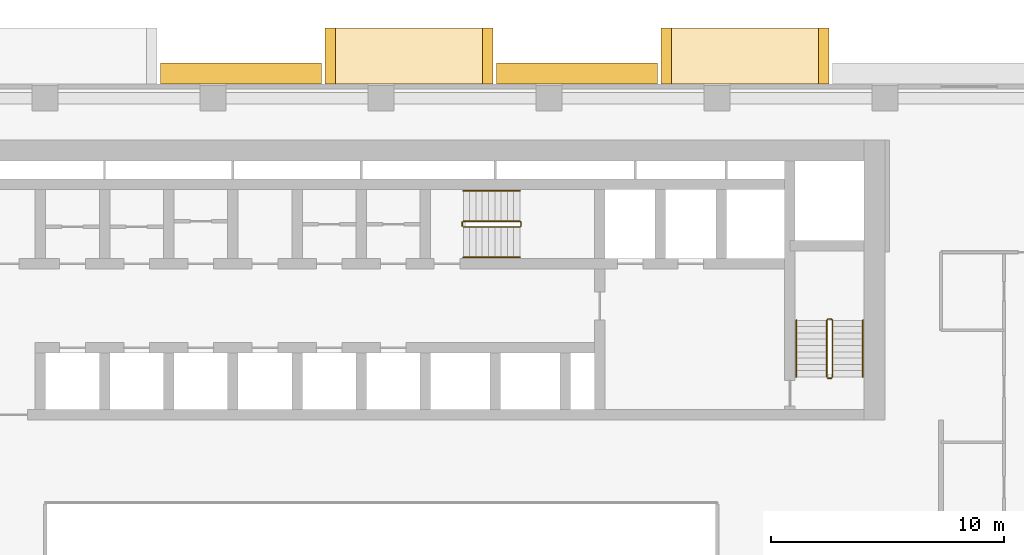
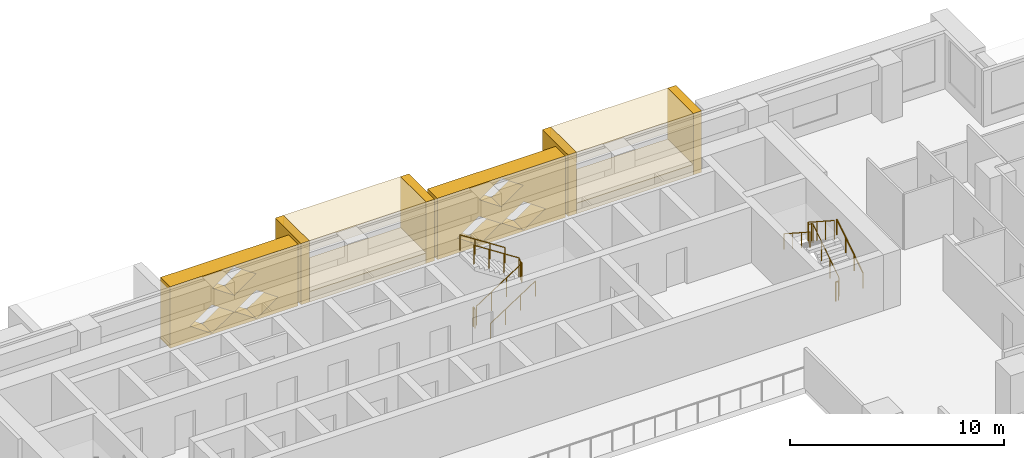
# One storey, part 16 of 17: 10 coverings, 8 railings.
"""IFC4 building model written with IfcOpenShell, lengths in metres."""

from ifc_helpers import new_model, si_unit, direction, frame, origin, origin_2d, place, context, subcontext, project, spatial, polyline, circle, outline, extrude, material, type_object, element, save


model = new_model("IFC4")

# Units and contexts
model_context = context("Model", 3, precision=1e-05, world=origin(), true_north=direction((0.0, 1.0)))
body_context = subcontext(model_context, "Body", "Model", "MODEL_VIEW")
ifc_project = project(units=[si_unit("LENGTHUNIT", "METRE"), si_unit("AREAUNIT", "SQUARE_METRE"), si_unit("VOLUMEUNIT", "CUBIC_METRE"), si_unit("PLANEANGLEUNIT", "RADIAN"), si_unit("MASSUNIT", "GRAM", prefix="KILO")], contexts=[model_context])

# Site, building, storey
site_placement = place(None, origin())
site = spatial("IfcSite", under=ifc_project, at=site_placement, CompositionType="ELEMENT")
building_placement = place(site_placement, origin())
building = spatial("IfcBuilding", under=site, at=building_placement, Name="Saffron Iwan Residences", CompositionType="ELEMENT")
storey_placement = place(building_placement, frame((0.0, 0.0, 58.5)))
storey = spatial("IfcBuildingStorey", under=building, at=storey_placement, Name="L14", CompositionType="ELEMENT", Elevation=58.5)

# Coverings
ifc_material_1 = material(Name="Precast concrete C40/50", Category="concrete")
covering_type_1 = type_object("IfcCoveringType", Name="OUTER SKIN LATTICE SCREEN", PredefinedType="CLADDING", material=ifc_material_1)
for number, where, z_axis, x_axis, name in (
    (1, (62.25, 80.39990234375, -0.320068359375), (0.0, 1.0, 0.0), (-1.0, 0.0, 0.0), "OUTER SKIN lattice screen L14 F5.1"),
    (2, (47.85009765625, 80.39990234375, -0.320068359375), (0.0, 1.0, 0.0), (-1.0, 0.0, 0.0), "OUTER SKIN lattice screen L14 F5.2"),
):
    element("IfcCovering", number, at=place(storey_placement, frame(where, z_axis=z_axis, x_axis=x_axis)), inside=storey, type_object=covering_type_1, Name=name, PredefinedType="CLADDING", context=body_context, shape_type="SweptSolid", body=[
        extrude(outline(polyline([(0.0, 0.0), (6.89990234375, 0.0), (6.89990234375, 3.5), (0.0, 3.5), (0.0, 0.0)]), holes=[polyline([(1.070068359375, 0.875), (2.25, 0.06005859375), (3.429931640625, 0.875), (2.25, 1.68994140625), (1.070068359375, 0.875)]), polyline([(3.469970703125, 0.875), (4.64990234375, 0.06005859375), (5.830078125, 0.875), (4.64990234375, 1.68994140625), (3.469970703125, 0.875)]), polyline([(2.27001953125, 2.625), (3.449951171875, 1.81005859375), (4.6298828125, 2.625), (3.449951171875, 3.43994140625), (2.27001953125, 2.625)])]), origin(), (0.0, 0.0, 1.0), 0.900146484375),
    ])

# Railings
ifc_material_2 = material(Name="Steel S355", Category="steel")
railing_type_1 = type_object("IfcRailingType", Name="Stair guard 1100", PredefinedType="GUARDRAIL", material=ifc_material_2)
railing_1_placement = place(storey_placement, frame((53.925048828125, 74.27490234375, 0.175048828125)))
element("IfcRailing", 3, at=railing_1_placement, inside=storey, type_object=railing_type_1, Name="L14 ST-C stair guard 1", PredefinedType="GUARDRAIL", context=body_context, shape_type="SweptSolid", body=[
    extrude(circle(Radius=0.02392578125, at=origin_2d()), frame((0.0, 0.0, 1.076171875), z_axis=(0.839153699163, 0.0, 0.543894354798), x_axis=(0.0, 1.0, 0.0)), (0.0, 0.0, 1.0), 2.895751953125),
    extrude(circle(Radius=0.02392578125, at=origin_2d()), frame((2.429931640625, 0.0, 2.65087890625), z_axis=(0.707106781187, 0.707106781187, 0.0), x_axis=(-0.707106781187, 0.707106781187, 0.0)), (0.0, 0.0, 1.0), 0.07080078125),
    extrude(circle(Radius=0.02392578125, at=origin_2d()), frame((2.47998046875, 0.050048828125, 2.65087890625), z_axis=(0.0, 1.0, 0.0), x_axis=(-1.0, 0.0, 0.0)), (0.0, 0.0, 1.0), 0.150146484375),
    extrude(circle(Radius=0.02392578125, at=origin_2d()), frame((2.47998046875, 0.2001953125, 2.65087890625), z_axis=(-0.265155923931, 0.263862480399, 0.927399011991), x_axis=(-0.705375805398, -0.708833529934, 0.0)), (0.0, 0.0, 1.0), 0.188720703125),
    extrude(circle(Radius=0.02392578125, at=origin_2d()), frame((2.429931640625, 0.25, 2.826171875), z_axis=(-0.839153699163, 0.0, 0.543894354798), x_axis=(0.0, -1.0, 0.0)), (0.0, 0.0, 1.0), 2.895751953125),
    extrude(circle(Radius=0.02099609375, at=origin_2d()), origin(), (0.0, 0.0, 1.0), 1.052001953125),
    extrude(circle(Radius=0.02099609375, at=origin_2d()), frame((0.81005859375, 0.0, 0.52490234375)), (0.0, 0.0, 1.0), 1.052001953125),
    extrude(circle(Radius=0.02099609375, at=origin_2d()), frame((1.619873046875, 0.0, 1.050048828125)), (0.0, 0.0, 1.0), 1.052001953125),
    extrude(circle(Radius=0.02099609375, at=origin_2d()), frame((2.429931640625, 0.0, 1.574951171875)), (0.0, 0.0, 1.0), 1.052001953125),
    extrude(circle(Radius=0.02099609375, at=origin_2d()), frame((2.47998046875, 0.050048828125, 1.574951171875)), (0.0, 0.0, 1.0), 1.052001953125),
    extrude(circle(Radius=0.02099609375, at=origin_2d()), frame((2.47998046875, 0.2001953125, 1.574951171875)), (0.0, 0.0, 1.0), 1.052001953125),
    extrude(circle(Radius=0.02099609375, at=origin_2d()), frame((2.429931640625, 0.25, 1.75)), (0.0, 0.0, 1.0), 1.052001953125),
    extrude(circle(Radius=0.02099609375, at=origin_2d()), frame((1.619873046875, 0.25, 2.27490234375)), (0.0, 0.0, 1.0), 1.052001953125),
    extrude(circle(Radius=0.02099609375, at=origin_2d()), frame((0.81005859375, 0.25, 2.800048828125)), (0.0, 0.0, 1.0), 1.052001953125),
    extrude(circle(Radius=0.02099609375, at=origin_2d()), frame((0.0, 0.25, 3.324951171875)), (0.0, 0.0, 1.0), 1.052001953125),
])
railing_2_placement = place(storey_placement, frame((53.875, 74.324951171875, 0.0)))
element("IfcRailing", 4, at=railing_2_placement, inside=storey, type_object=railing_type_1, Name="L14 ST-C stair guard 2", PredefinedType="GUARDRAIL", context=body_context, shape_type="SweptSolid", body=[
    extrude(circle(Radius=0.02392578125, at=origin_2d()), frame((0.0, 0.0, 1.076171875), z_axis=(0.0, 1.0, 0.0), x_axis=(-1.0, 0.0, 0.0)), (0.0, 0.0, 1.0), 0.150146484375),
    extrude(circle(Radius=0.02099609375, at=origin_2d()), origin(), (0.0, 0.0, 1.0), 1.052001953125),
    extrude(circle(Radius=0.02099609375, at=origin_2d()), frame((0.0, 0.150146484375, 0.0)), (0.0, 0.0, 1.0), 1.052001953125),
])
railing_3_placement = place(storey_placement, frame((69.75, 67.85009765625, 0.175048828125)))
element("IfcRailing", 5, at=railing_3_placement, inside=storey, type_object=railing_type_1, Name="L14 ST-E stair guard 1", PredefinedType="GUARDRAIL", context=body_context, shape_type="SweptSolid", body=[
    extrude(circle(Radius=0.02392578125, at=origin_2d()), frame((0.0, 0.0, 1.076171875), z_axis=(0.0, 0.839153699163, 0.543894354798), x_axis=(-1.0, 0.0, 0.0)), (0.0, 0.0, 1.0), 2.895751953125),
    extrude(circle(Radius=0.02392578125, at=origin_2d()), frame((0.0, 2.429931640625, 2.65087890625), z_axis=(-0.707106781187, 0.707106781187, 0.0), x_axis=(-0.707106781187, -0.707106781187, 0.0)), (0.0, 0.0, 1.0), 0.07080078125),
    extrude(circle(Radius=0.02392578125, at=origin_2d()), frame((-0.050048828125, 2.47998046875, 2.65087890625), z_axis=(-1.0, 0.0, 0.0), x_axis=(0.0, -1.0, 0.0)), (0.0, 0.0, 1.0), 0.14990234375),
    extrude(circle(Radius=0.02392578125, at=origin_2d()), frame((-0.199951171875, 2.47998046875, 2.65087890625), z_axis=(-0.265065253269, -0.265065253269, 0.927081885822), x_axis=(0.707106781187, -0.707106781187, 0.0)), (0.0, 0.0, 1.0), 0.188720703125),
    extrude(circle(Radius=0.02392578125, at=origin_2d()), frame((-0.25, 2.429931640625, 2.826171875), z_axis=(0.0, -0.839153699163, 0.543894354798), x_axis=(1.0, 0.0, 0.0)), (0.0, 0.0, 1.0), 2.895751953125),
    extrude(circle(Radius=0.02099609375, at=origin_2d()), origin(), (0.0, 0.0, 1.0), 1.052001953125),
    extrude(circle(Radius=0.02099609375, at=origin_2d()), frame((0.0, 0.81005859375, 0.52490234375)), (0.0, 0.0, 1.0), 1.052001953125),
    extrude(circle(Radius=0.02099609375, at=origin_2d()), frame((0.0, 1.619873046875, 1.050048828125)), (0.0, 0.0, 1.0), 1.052001953125),
    extrude(circle(Radius=0.02099609375, at=origin_2d()), frame((0.0, 2.429931640625, 1.574951171875)), (0.0, 0.0, 1.0), 1.052001953125),
    extrude(circle(Radius=0.02099609375, at=origin_2d()), frame((-0.050048828125, 2.47998046875, 1.574951171875)), (0.0, 0.0, 1.0), 1.052001953125),
    extrude(circle(Radius=0.02099609375, at=origin_2d()), frame((-0.199951171875, 2.47998046875, 1.574951171875)), (0.0, 0.0, 1.0), 1.052001953125),
    extrude(circle(Radius=0.02099609375, at=origin_2d()), frame((-0.25, 2.429931640625, 1.75)), (0.0, 0.0, 1.0), 1.052001953125),
    extrude(circle(Radius=0.02099609375, at=origin_2d()), frame((-0.25, 1.619873046875, 2.27490234375)), (0.0, 0.0, 1.0), 1.052001953125),
    extrude(circle(Radius=0.02099609375, at=origin_2d()), frame((-0.25, 0.81005859375, 2.800048828125)), (0.0, 0.0, 1.0), 1.052001953125),
    extrude(circle(Radius=0.02099609375, at=origin_2d()), frame((-0.25, 0.0, 3.324951171875)), (0.0, 0.0, 1.0), 1.052001953125),
])
railing_4_placement = place(storey_placement, frame((69.699951171875, 67.800048828125, 0.0)))
element("IfcRailing", 6, at=railing_4_placement, inside=storey, type_object=railing_type_1, Name="L14 ST-E stair guard 2", PredefinedType="GUARDRAIL", context=body_context, shape_type="SweptSolid", body=[
    extrude(circle(Radius=0.02392578125, at=origin_2d()), frame((0.0, 0.0, 1.076171875), z_axis=(-1.0, 0.0, 0.0), x_axis=(0.0, -1.0, 0.0)), (0.0, 0.0, 1.0), 0.14990234375),
    extrude(circle(Radius=0.02099609375, at=origin_2d()), origin(), (0.0, 0.0, 1.0), 1.052001953125),
    extrude(circle(Radius=0.02099609375, at=origin_2d()), frame((-0.14990234375, 0.0, 0.0)), (0.0, 0.0, 1.0), 1.052001953125),
])
ifc_material_3 = material(Name="Stainless steel 316", Category="steel")
railing_type_2 = type_object("IfcRailingType", Name="Stair handrail 900", PredefinedType="HANDRAIL", material=ifc_material_3)
railing_5_placement = place(storey_placement, frame((53.925048828125, 72.97509765625, 0.175048828125)))
element("IfcRailing", 7, at=railing_5_placement, inside=storey, type_object=railing_type_2, Name="L14 ST-C stair handrail 1", PredefinedType="HANDRAIL", context=body_context, shape_type="SweptSolid", body=[
    extrude(circle(Radius=0.02392578125, at=origin_2d()), frame((0.0, 0.0, 0.8759765625), z_axis=(0.839153699163, 0.0, 0.543894354798), x_axis=(0.0, 1.0, 0.0)), (0.0, 0.0, 1.0), 2.895751953125),
    extrude(circle(Radius=0.02099609375, at=origin_2d()), origin(), (0.0, 0.0, 1.0), 0.851806640625),
    extrude(circle(Radius=0.02099609375, at=origin_2d()), frame((0.81005859375, 0.0, 0.52490234375)), (0.0, 0.0, 1.0), 0.851806640625),
    extrude(circle(Radius=0.02099609375, at=origin_2d()), frame((1.619873046875, 0.0, 1.050048828125)), (0.0, 0.0, 1.0), 0.851806640625),
    extrude(circle(Radius=0.02099609375, at=origin_2d()), frame((2.429931640625, 0.0, 1.574951171875)), (0.0, 0.0, 1.0), 0.851806640625),
])
railing_6_placement = place(storey_placement, frame((56.35498046875, 75.824951171875, 1.925048828125)))
element("IfcRailing", 8, at=railing_6_placement, inside=storey, type_object=railing_type_2, Name="L14 ST-C stair handrail 2", PredefinedType="HANDRAIL", context=body_context, shape_type="SweptSolid", body=[
    extrude(circle(Radius=0.02392578125, at=origin_2d()), frame((0.0, 0.0, 0.8759765625), z_axis=(-0.839153699163, 0.0, 0.543894354798), x_axis=(0.0, -1.0, 0.0)), (0.0, 0.0, 1.0), 2.895751953125),
    extrude(circle(Radius=0.02099609375, at=origin_2d()), origin(), (0.0, 0.0, 1.0), 0.851806640625),
    extrude(circle(Radius=0.02099609375, at=origin_2d()), frame((-0.81005859375, 0.0, 0.52490234375)), (0.0, 0.0, 1.0), 0.851806640625),
    extrude(circle(Radius=0.02099609375, at=origin_2d()), frame((-1.619873046875, 0.0, 1.050048828125)), (0.0, 0.0, 1.0), 0.851806640625),
    extrude(circle(Radius=0.02099609375, at=origin_2d()), frame((-2.429931640625, 0.0, 1.574951171875)), (0.0, 0.0, 1.0), 0.851806640625),
])
railing_7_placement = place(storey_placement, frame((71.050048828125, 67.85009765625, 0.175048828125)))
element("IfcRailing", 9, at=railing_7_placement, inside=storey, type_object=railing_type_2, Name="L14 ST-E stair handrail 1", PredefinedType="HANDRAIL", context=body_context, shape_type="SweptSolid", body=[
    extrude(circle(Radius=0.02392578125, at=origin_2d()), frame((0.0, 0.0, 0.8759765625), z_axis=(0.0, 0.839153699163, 0.543894354798), x_axis=(-1.0, 0.0, 0.0)), (0.0, 0.0, 1.0), 2.895751953125),
    extrude(circle(Radius=0.02099609375, at=origin_2d()), origin(), (0.0, 0.0, 1.0), 0.851806640625),
    extrude(circle(Radius=0.02099609375, at=origin_2d()), frame((0.0, 0.81005859375, 0.52490234375)), (0.0, 0.0, 1.0), 0.851806640625),
    extrude(circle(Radius=0.02099609375, at=origin_2d()), frame((0.0, 1.619873046875, 1.050048828125)), (0.0, 0.0, 1.0), 0.851806640625),
    extrude(circle(Radius=0.02099609375, at=origin_2d()), frame((0.0, 2.429931640625, 1.574951171875)), (0.0, 0.0, 1.0), 0.851806640625),
])
railing_8_placement = place(storey_placement, frame((68.199951171875, 70.280029296875, 1.925048828125)))
element("IfcRailing", 10, at=railing_8_placement, inside=storey, type_object=railing_type_2, Name="L14 ST-E stair handrail 2", PredefinedType="HANDRAIL", context=body_context, shape_type="SweptSolid", body=[
    extrude(circle(Radius=0.02392578125, at=origin_2d()), frame((0.0, 0.0, 0.8759765625), z_axis=(0.0, -0.839153699163, 0.543894354798), x_axis=(1.0, 0.0, 0.0)), (0.0, 0.0, 1.0), 2.895751953125),
    extrude(circle(Radius=0.02099609375, at=origin_2d()), origin(), (0.0, 0.0, 1.0), 0.851806640625),
    extrude(circle(Radius=0.02099609375, at=origin_2d()), frame((0.0, -0.81005859375, 0.52490234375)), (0.0, 0.0, 1.0), 0.851806640625),
    extrude(circle(Radius=0.02099609375, at=origin_2d()), frame((0.0, -1.619873046875, 1.050048828125)), (0.0, 0.0, 1.0), 0.851806640625),
    extrude(circle(Radius=0.02099609375, at=origin_2d()), frame((0.0, -2.429931640625, 1.574951171875)), (0.0, 0.0, 1.0), 0.851806640625),
])

# Coverings
ifc_material_4 = material(Name="Precast concrete C40/50 white painted", Category="concrete")
covering_type_2 = type_object("IfcCoveringType", Name="WHITE SUN FRAME PRECAST", PredefinedType="CLADDING", material=ifc_material_4)
for number, where, z_axis, x_axis, name in (
    (11, (69.60009765625, 80.39990234375, -0.320068359375), (0.0, 1.0, 0.0), (-1.0, 0.0, 0.0), "Sun frame L14 F5 13.2a"),
    (12, (62.85009765625, 80.39990234375, -0.320068359375), (0.0, 1.0, 0.0), (-1.0, 0.0, 0.0), "Sun frame L14 F5 13.2b"),
):
    element("IfcCovering", number, at=place(storey_placement, frame(where, z_axis=z_axis, x_axis=x_axis)), inside=storey, type_object=covering_type_2, Name=name, PredefinedType="CLADDING", context=body_context, shape_type="SweptSolid", body=[
        extrude(outline(polyline([(0.0, 0.0), (0.449951171875, 0.0), (0.449951171875, 3.5), (0.0, 3.5), (0.0, 0.0)])), origin(), (0.0, 0.0, 1.0), 2.400146484375),
    ])
for number, where, z_axis, x_axis, name in (
    (13, (69.14990234375, 80.39990234375, 2.580078125), (0.0, 1.0, 0.0), (-1.0, 0.0, 0.0), "Sun frame L14 F5 13.2h"),
    (14, (69.14990234375, 80.39990234375, -0.320068359375), (0.0, 1.0, 0.0), (-1.0, 0.0, 0.0), "Sun frame L14 F5 13.2s"),
):
    element("IfcCovering", number, at=place(storey_placement, frame(where, z_axis=z_axis, x_axis=x_axis)), inside=storey, type_object=covering_type_2, Name=name, PredefinedType="CLADDING", context=body_context, shape_type="SweptSolid", body=[
        extrude(outline(polyline([(0.0, 0.0), (6.300048828125, 0.0), (6.300048828125, 0.60009765625), (0.0, 0.60009765625), (0.0, 0.0)])), origin(), (0.0, 0.0, 1.0), 2.400146484375),
    ])
for number, where, z_axis, x_axis, name in (
    (15, (55.199951171875, 80.39990234375, -0.320068359375), (0.0, 1.0, 0.0), (-1.0, 0.0, 0.0), "Sun frame L14 F5 27.6a"),
    (16, (48.449951171875, 80.39990234375, -0.320068359375), (0.0, 1.0, 0.0), (-1.0, 0.0, 0.0), "Sun frame L14 F5 27.6b"),
):
    element("IfcCovering", number, at=place(storey_placement, frame(where, z_axis=z_axis, x_axis=x_axis)), inside=storey, type_object=covering_type_2, Name=name, PredefinedType="CLADDING", context=body_context, shape_type="SweptSolid", body=[
        extrude(outline(polyline([(0.0, 0.0), (0.449951171875, 0.0), (0.449951171875, 3.5), (0.0, 3.5), (0.0, 0.0)])), origin(), (0.0, 0.0, 1.0), 2.400146484375),
    ])
for number, where, z_axis, x_axis, name in (
    (17, (54.75, 80.39990234375, 2.580078125), (0.0, 1.0, 0.0), (-1.0, 0.0, 0.0), "Sun frame L14 F5 27.6h"),
    (18, (54.75, 80.39990234375, -0.320068359375), (0.0, 1.0, 0.0), (-1.0, 0.0, 0.0), "Sun frame L14 F5 27.6s"),
):
    element("IfcCovering", number, at=place(storey_placement, frame(where, z_axis=z_axis, x_axis=x_axis)), inside=storey, type_object=covering_type_2, Name=name, PredefinedType="CLADDING", context=body_context, shape_type="SweptSolid", body=[
        extrude(outline(polyline([(0.0, 0.0), (6.300048828125, 0.0), (6.300048828125, 0.60009765625), (0.0, 0.60009765625), (0.0, 0.0)])), origin(), (0.0, 0.0, 1.0), 2.400146484375),
    ])

save(model, "model.ifc")
